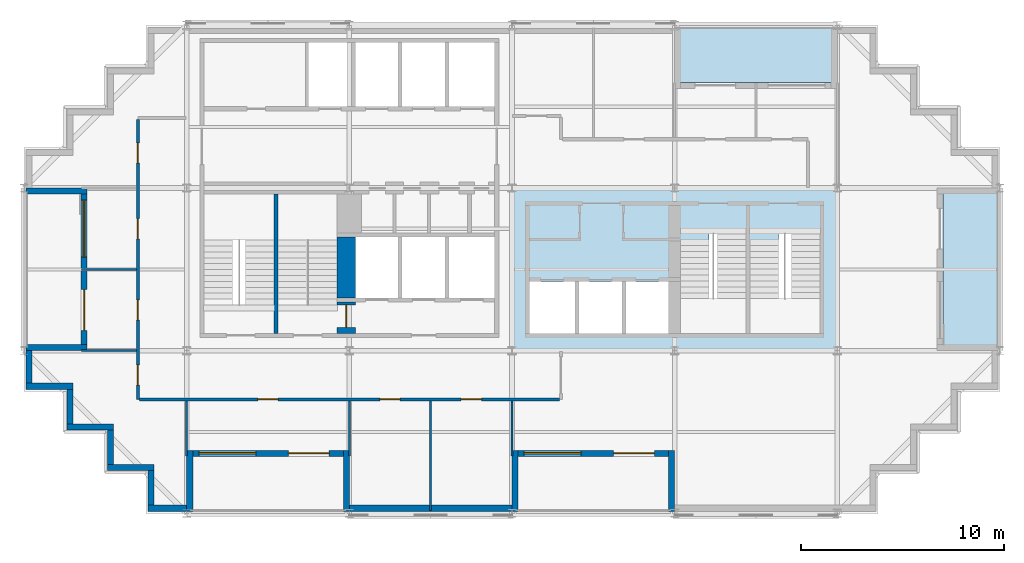
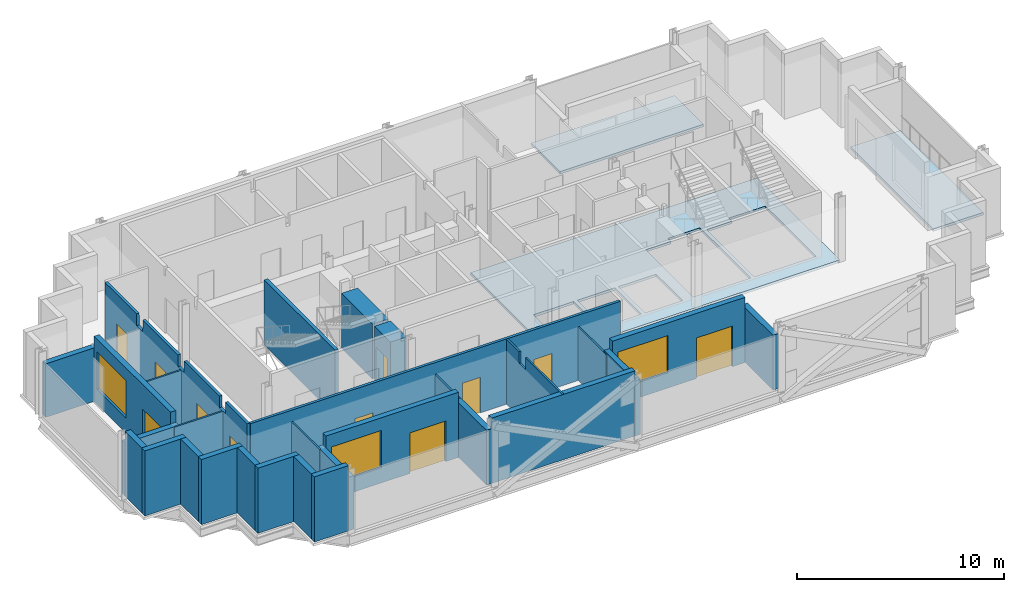
# One storey, part 2 of 7: 29 walls, 11 doors, 3 slabs, 3 windows, 14 openings.
"""IFC4 building model written with IfcOpenShell, lengths in metres."""

import ifcopenshell
import ifcopenshell.guid

model = None  # the IFC model being written
_history = None  # IfcOwnerHistory: only IFC2X3 demands one
_inside = {}  # id of a spatial element -> (the spatial element, [elements in it])
_under = {}  # id of a project, library or spatial element -> (it, [spatial elements below it])
_declared = {}  # id of a project -> (the project, [libraries it declares])
_typed = {}  # id of a type object -> (the type object, [elements of that type])
_made_of = {}  # id of a material, layer set ... -> (it, [elements and type objects made of it])


def new_model(schema):
    """Start an empty IFC model of exactly this schema.

    Asked for "IFC4X3", IfcOpenShell would pick the latest addendum, in which some entities
    have other attributes; the version numbers below select the first issue.
    IFC2X3 requires an IfcOwnerHistory on every rooted entity: one is made here for all.
    """
    global model, _history
    if schema == "IFC4X3":
        model = ifcopenshell.file(schema_version=(4, 3, 0, 0))
    else:
        model = ifcopenshell.file(schema=schema)
    _inside.clear()
    _under.clear()
    _declared.clear()
    _typed.clear()
    _made_of.clear()
    _history = None
    if model.schema == "IFC2X3":
        org = make("IfcOrganization", Name="unknown")
        user = make(
            "IfcPersonAndOrganization",
            ThePerson=make("IfcPerson", FamilyName="unknown"),
            TheOrganization=org,
        )
        app = make(
            "IfcApplication",
            ApplicationDeveloper=org,
            Version="unknown",
            ApplicationFullName="unknown",
            ApplicationIdentifier="unknown",
        )
        _history = make(
            "IfcOwnerHistory",
            OwningUser=user,
            OwningApplication=app,
            ChangeAction="ADDED",
            CreationDate=0,
        )
    return model


def make(cls, **values):
    """One entity of the class cls with the attributes given. An attribute that is None is left unset."""
    return model.create_entity(
        cls, **{name: value for name, value in values.items() if value is not None}
    )


def rooted(cls, **values):
    """An entity with a GlobalId (a new one), such as an element, a storey or a relation."""
    return make(cls, GlobalId=ifcopenshell.guid.new(), OwnerHistory=_history, **values)


def si_unit(unit_type, name, prefix=None):
    """IfcSIUnit, for example si_unit("LENGTHUNIT", "METRE", prefix="MILLI")."""
    return make("IfcSIUnit", UnitType=unit_type, Prefix=prefix, Name=name)


def assignment(units):
    """IfcUnitAssignment: the units of a project."""
    return None if units is None else make("IfcUnitAssignment", Units=units)


def point(xyz):
    """IfcCartesianPoint."""
    return None if xyz is None else make("IfcCartesianPoint", Coordinates=xyz)


def direction(xyz):
    """IfcDirection."""
    return None if xyz is None else make("IfcDirection", DirectionRatios=xyz)


def frame(location, z_axis=None, x_axis=None):
    """IfcAxis2Placement3D, a coordinate frame: its origin and axes. An axis left out is left unset."""
    return make(
        "IfcAxis2Placement3D",
        Location=point(location),
        Axis=direction(z_axis),
        RefDirection=direction(x_axis),
    )


def frame_2d(location, x_axis=None):
    """IfcAxis2Placement2D, a coordinate frame in the plane: its origin and x axis."""
    return make(
        "IfcAxis2Placement2D", Location=point(location), RefDirection=direction(x_axis)
    )


def origin():
    """The frame at (0, 0, 0) with its axes left unset."""
    return frame((0.0, 0.0, 0.0))


def place(relative_to, where):
    """IfcLocalPlacement: puts the frame where relative to a parent placement (None: the world)."""
    return make(
        "IfcLocalPlacement", PlacementRelTo=relative_to, RelativePlacement=where
    )


def context(
    kind, dimensions, precision=None, world=None, true_north=None, identifier=None
):
    """IfcGeometricRepresentationContext, for example the 3D "Model" context."""
    return make(
        "IfcGeometricRepresentationContext",
        ContextIdentifier=identifier,
        ContextType=kind,
        CoordinateSpaceDimension=dimensions,
        Precision=precision,
        WorldCoordinateSystem=world,
        TrueNorth=true_north,
    )


def subcontext(parent, identifier, kind, view, scale=None):
    """IfcGeometricRepresentationSubContext, for example "Body" below "Model"."""
    return make(
        "IfcGeometricRepresentationSubContext",
        ContextIdentifier=identifier,
        ContextType=kind,
        ParentContext=parent,
        TargetScale=scale,
        TargetView=view,
    )


def project(units=None, contexts=None):
    """IfcProject with its units and contexts."""
    return rooted(
        "IfcProject",
        Name="project",
        RepresentationContexts=contexts,
        UnitsInContext=assignment(units),
    )


def spatial(cls, under=None, at=None, **own):
    """A site, building, storey or space (cls), placed at a placement, below another one or the project."""
    s = rooted(cls, ObjectPlacement=at, **own)
    if under is not None:
        _under.setdefault(under.id(), (under, []))[1].append(s)
    return s


def polyline(points):
    """IfcPolyline through the points."""
    return make("IfcPolyline", Points=[point(p) for p in points])


def profile(cls, at=None, kind="AREA", **sizes):
    """A parametric profile (cls). Its sizes go by their IFC names, for example OverallWidth=200.0."""
    return make(cls, ProfileType=kind, Position=at, **sizes)


def rectangle(**sizes):
    """IfcRectangleProfileDef."""
    return profile("IfcRectangleProfileDef", **sizes)


def outline(outer, holes=None, kind="AREA"):
    """IfcArbitraryClosedProfileDef: a profile drawn as a closed curve; with holes, ...WithVoids."""
    if holes is None:
        return make("IfcArbitraryClosedProfileDef", ProfileType=kind, OuterCurve=outer)
    return make(
        "IfcArbitraryProfileDefWithVoids",
        ProfileType=kind,
        OuterCurve=outer,
        InnerCurves=holes,
    )


def extrude(swept, where, along, depth):
    """IfcExtrudedAreaSolid: the profile swept, set in the frame where, extruded along a direction by depth."""
    return make(
        "IfcExtrudedAreaSolid",
        SweptArea=swept,
        Position=where,
        ExtrudedDirection=direction(along),
        Depth=depth,
    )


def shape(context_of_items, identifier, shape_type, items):
    """IfcShapeRepresentation: the items that make up one representation, for example the "Body"."""
    return make(
        "IfcShapeRepresentation",
        ContextOfItems=context_of_items,
        RepresentationIdentifier=identifier,
        RepresentationType=shape_type,
        Items=items,
    )


def material(Name=None, Category=None):
    """IfcMaterial."""
    return make("IfcMaterial", Name=Name, Category=Category)


def layer(
    of_material, thickness, ventilated=None, Name=None, Category=None, Priority=None
):
    """IfcMaterialLayer: one layer of a wall or slab, of a material (None: an air gap)."""
    return make(
        "IfcMaterialLayer",
        Material=of_material,
        LayerThickness=thickness,
        IsVentilated=ventilated,
        Name=Name,
        Category=Category,
        Priority=Priority,
    )


def layer_set(layers, Name=None):
    """IfcMaterialLayerSet."""
    return make("IfcMaterialLayerSet", MaterialLayers=layers, LayerSetName=Name)


def made_of(thing, what):
    """Note that an element or type object is made of a material, layer set ...; save() writes the relation."""
    if what is not None:
        _made_of.setdefault(what.id(), (what, []))[1].append(thing)
    return thing


def type_object(cls, material=None, **own):
    """A type object (cls), such as IfcWallType, which elements share."""
    return made_of(rooted(cls, **own), material)


def element(
    cls,
    number,
    at=None,
    inside=None,
    cuts=None,
    type_object=None,
    material=None,
    context=None,
    identifier="Body",
    shape_type=None,
    held_by="IfcProductDefinitionShape",
    body=None,
    shapes=None,
    **own,
):
    """One element of the class cls, such as IfcWall. Its Tag is "e" and its number.

    at: its placement. inside: the storey or other place that contains it. cuts: it is an
    opening in that element (IfcRelVoidsElement). A single representation is given by context,
    identifier, shape_type and body (its items); several are given by shapes. held_by: the class
    of the entity that holds the representations. save() writes the other relations.
    """
    e = rooted(cls, Tag="e%d" % number, ObjectPlacement=at, **own)
    if body is not None:
        shapes = [shape(context, identifier, shape_type, body)]
    if shapes is not None:
        e.Representation = make(held_by, Representations=shapes)
    if inside is not None:
        _inside.setdefault(inside.id(), (inside, []))[1].append(e)
    if cuts is not None:
        rooted(
            "IfcRelVoidsElement", RelatingBuildingElement=cuts, RelatedOpeningElement=e
        )
    if type_object is not None:
        _typed.setdefault(type_object.id(), (type_object, []))[1].append(e)
    return made_of(e, material)


def fill(opening, filler):
    """IfcRelFillsElement: the door or window that sits in an opening."""
    return rooted(
        "IfcRelFillsElement",
        RelatingOpeningElement=opening,
        RelatedBuildingElement=filler,
    )


def aggregate(whole, parts):
    """IfcRelAggregates: a whole, such as a stair, and the parts it consists of."""
    return rooted("IfcRelAggregates", RelatingObject=whole, RelatedObjects=parts)


def save(model, path):
    """Write the relations noted so far, then the file.

    IfcRelAggregates (storeys below a building ...), IfcRelContainedInSpatialStructure (elements
    in a storey), IfcRelDefinesByType, IfcRelAssociatesMaterial and IfcRelDeclares: one each for
    every whole, place, type object, material and project.
    """
    for whole, parts in _under.values():
        aggregate(whole, parts)
    for where, things in _inside.values():
        rooted(
            "IfcRelContainedInSpatialStructure",
            RelatedElements=things,
            RelatingStructure=where,
        )
    for kind, things in _typed.values():
        rooted("IfcRelDefinesByType", RelatedObjects=things, RelatingType=kind)
    for what, things in _made_of.values():
        rooted("IfcRelAssociatesMaterial", RelatedObjects=things, RelatingMaterial=what)
    for by, libraries in _declared.values():
        rooted("IfcRelDeclares", RelatingContext=by, RelatedDefinitions=libraries)
    model.write(path)


model = new_model("IFC4")

# Units and contexts
model_context = context("Model", 3, precision=1e-05, world=origin(), true_north=direction((0.0, 1.0)))
body_context = subcontext(model_context, "Body", "Model", "MODEL_VIEW")
ifc_project = project(units=[si_unit("LENGTHUNIT", "METRE"), si_unit("AREAUNIT", "SQUARE_METRE"), si_unit("VOLUMEUNIT", "CUBIC_METRE"), si_unit("PLANEANGLEUNIT", "RADIAN"), si_unit("MASSUNIT", "GRAM", prefix="KILO")], contexts=[model_context])

# Site, building, storey
site_placement = place(None, origin())
site = spatial("IfcSite", under=ifc_project, at=site_placement, CompositionType="ELEMENT")
building_placement = place(site_placement, origin())
building = spatial("IfcBuilding", under=site, at=building_placement, Name="Immortelle Media Tower", CompositionType="ELEMENT")
storey_placement = place(building_placement, frame((0.0, 0.0, 205.0)))
storey = spatial("IfcBuildingStorey", under=building, at=storey_placement, Name="L43", CompositionType="ELEMENT", Elevation=205.0)

# Slabs
ifc_material_1 = material(Name="Concrete C50/60 composite deck", Category="concrete")
ifc_layer_1 = layer(ifc_material_1, 0.14990234375)
ifc_layer_set_1 = layer_set([ifc_layer_1], Name="Concrete C50/60 composite deck")
slab_type_1 = type_object("IfcSlabType", Name="Balcony slab 150", PredefinedType="FLOOR", material=ifc_layer_set_1)
slab_1_placement = place(storey_placement, frame((0.0, 0.0, -0.14990234375)))
element("IfcSlab", 1, at=slab_1_placement, inside=storey, type_object=slab_type_1, Name="Balcony slab L43 E0", PredefinedType="FLOOR", context=body_context, shape_type="SweptSolid", body=[
    extrude(outline(polyline([(48.0, 8.0), (48.0, 16.0), (45.199951171875, 16.0), (45.199951171875, 8.0), (48.0, 8.0)])), origin(), (0.0, 0.0, 1.0), 0.14990234375),
])
slab_2_placement = place(storey_placement, frame((0.0, 0.0, -0.14990234375)))
element("IfcSlab", 2, at=slab_2_placement, inside=storey, type_object=slab_type_1, Name="Balcony slab L43 N0", PredefinedType="FLOOR", context=body_context, shape_type="SweptSolid", body=[
    extrude(outline(polyline([(40.0, 21.199951171875), (40.0, 24.0), (32.0, 24.0), (32.0, 21.199951171875), (40.0, 21.199951171875)])), origin(), (0.0, 0.0, 1.0), 0.14990234375),
])
ifc_material_2 = material(Name="Concrete C50/60", Category="concrete")
ifc_layer_2 = layer(ifc_material_2, 0.14990234375)
ifc_layer_set_2 = layer_set([ifc_layer_2], Name="Concrete C50/60")
slab_type_2 = type_object("IfcSlabType", Name="Core floor slab 150", PredefinedType="FLOOR", material=ifc_layer_set_2)
slab_3_placement = place(storey_placement, frame((0.0, 0.0, -0.14990234375)))
element("IfcSlab", 3, at=slab_3_placement, inside=storey, type_object=slab_type_2, Name="Core floor SE", PredefinedType="FLOOR", context=body_context, shape_type="SweptSolid", body=[
    extrude(outline(polyline([(24.0, 8.0), (40.0, 8.0), (40.0, 16.0), (24.0, 16.0), (24.0, 8.0)]), holes=[polyline([(24.85009765625, 8.85009765625), (27.10009765625, 8.85009765625), (27.10009765625, 11.39990234375), (24.85009765625, 11.39990234375), (24.85009765625, 8.85009765625)]), polyline([(27.300048828125, 8.85009765625), (29.39990234375, 8.85009765625), (29.39990234375, 11.39990234375), (27.300048828125, 11.39990234375), (27.300048828125, 8.85009765625)]), polyline([(29.60009765625, 8.85009765625), (31.699951171875, 8.85009765625), (31.699951171875, 11.39990234375), (29.60009765625, 11.39990234375), (29.60009765625, 8.85009765625)]), polyline([(35.5, 13.72998046875), (35.5, 8.85009765625), (32.300048828125, 8.85009765625), (32.300048828125, 13.43994140625), (33.699951171875, 13.43994140625), (33.699951171875, 13.72998046875), (35.5, 13.72998046875)]), polyline([(39.14990234375, 13.72998046875), (39.14990234375, 8.85009765625), (35.699951171875, 8.85009765625), (35.699951171875, 13.43994140625), (37.10009765625, 13.43994140625), (37.10009765625, 13.72998046875), (39.14990234375, 13.72998046875)])]), origin(), (0.0, 0.0, 1.0), 0.14990234375),
])

# Wall, openings, doors
ifc_material_3 = material(Name="Fire-rated gypsum board", Category="gypsum")
ifc_layer_3 = layer(ifc_material_3, 0.012451171875)
ifc_material_4 = material(Name="Steel ASTM A653 SS Gr 50 stud frame with mineral wool", Category="steel")
ifc_layer_4 = layer(ifc_material_4, 0.125)
ifc_layer_5 = layer(ifc_material_3, 0.012451171875)
ifc_layer_set_3 = layer_set([ifc_layer_3, ifc_layer_4, ifc_layer_5], Name="Steel ASTM A653 SS Gr 50 stud frame with mineral wool")
wall_type_1 = type_object("IfcWallType", Name="Corridor wall 150", PredefinedType="PARTITIONING", material=ifc_layer_set_3)
wall_1_placement = place(storey_placement, frame((5.675048828125, 5.60009765625, 0.0), z_axis=(0.0, 0.0, 1.0), x_axis=(1.0, 0.0, 0.0)))
wall_1 = element("IfcWall", 4, at=wall_1_placement, inside=storey, type_object=wall_type_1, Name="Partition L43-005", PredefinedType="PARTITIONING", context=body_context, shape_type="SweptSolid", body=[
    extrude(rectangle(XDim=20.64990234375, YDim=0.14990234375, at=frame_2d((10.324951171875, 0.0))), origin(), (0.0, 0.0, 1.0), 3.85009765625),
])
opening_1_placement = place(wall_1_placement, frame((12.824951171875, 0.0, 0.0), z_axis=(0.0, 0.0, 1.0), x_axis=(-1.0, 0.0, 0.0)))
opening_1 = element("IfcOpeningElement", 5, at=opening_1_placement, cuts=wall_1, Name="Opening O2-F001", PredefinedType="OPENING", context=body_context, shape_type="SweptSolid", body=[
    extrude(rectangle(XDim=1.0, YDim=2.10009765625, at=frame_2d((0.5, 1.050048828125))), frame((0.0, 0.0849609375, 0.0), z_axis=(0.0, -1.0, 0.0), x_axis=(1.0, 0.0, 0.0)), (0.0, 0.0, 1.0), 0.169921875),
])
opening_2_placement = place(wall_1_placement, frame((16.824951171875, 0.0, 0.0), z_axis=(0.0, 0.0, 1.0), x_axis=(-1.0, 0.0, 0.0)))
opening_2 = element("IfcOpeningElement", 6, at=opening_2_placement, cuts=wall_1, Name="Opening O2-F002", PredefinedType="OPENING", context=body_context, shape_type="SweptSolid", body=[
    extrude(rectangle(XDim=1.0, YDim=2.10009765625, at=frame_2d((0.5, 1.050048828125))), frame((0.0, 0.0849609375, 0.0), z_axis=(0.0, -1.0, 0.0), x_axis=(1.0, 0.0, 0.0)), (0.0, 0.0, 1.0), 0.169921875),
])
opening_3_placement = place(wall_1_placement, frame((6.824951171875, 0.0, 0.0), z_axis=(0.0, 0.0, 1.0), x_axis=(-1.0, 0.0, 0.0)))
opening_3 = element("IfcOpeningElement", 7, at=opening_3_placement, cuts=wall_1, Name="Opening O2-F003", PredefinedType="OPENING", context=body_context, shape_type="SweptSolid", body=[
    extrude(rectangle(XDim=1.0, YDim=2.10009765625, at=frame_2d((0.5, 1.050048828125))), frame((0.0, 0.0849609375, 0.0), z_axis=(0.0, -1.0, 0.0), x_axis=(1.0, 0.0, 0.0)), (0.0, 0.0, 1.0), 0.169921875),
])
ifc_material_5 = material(Name="Timber veneered door leaf, galvanised steel frame ASTM A653", Category="steel")
door_type_1 = type_object("IfcDoorType", Name="Room door 1000 x 2100", OperationType="NOTDEFINED", PredefinedType="DOOR", material=ifc_material_5)
door_1_placement = place(opening_1_placement, origin())
door_1 = element("IfcDoor", 8, at=door_1_placement, inside=storey, type_object=door_type_1, Name="Door O2-F001", OperationType="SINGLE_SWING_RIGHT", OverallHeight=2.10009765625, OverallWidth=1.0, PredefinedType="DOOR", context=body_context, shape_type="SweptSolid", body=[
    extrude(rectangle(XDim=1.0, YDim=2.10009765625, at=frame_2d((0.5, 1.050048828125))), frame((0.0, 0.02490234375, 0.0), z_axis=(0.0, -1.0, 0.0), x_axis=(1.0, 0.0, 0.0)), (0.0, 0.0, 1.0), 0.050048828125),
])
fill(opening_1, door_1)
door_2_placement = place(opening_2_placement, origin())
door_2 = element("IfcDoor", 9, at=door_2_placement, inside=storey, type_object=door_type_1, Name="Door O2-F002", OperationType="SINGLE_SWING_RIGHT", OverallHeight=2.10009765625, OverallWidth=1.0, PredefinedType="DOOR", context=body_context, shape_type="SweptSolid", body=[
    extrude(rectangle(XDim=1.0, YDim=2.10009765625, at=frame_2d((0.5, 1.050048828125))), frame((0.0, 0.02490234375, 0.0), z_axis=(0.0, -1.0, 0.0), x_axis=(1.0, 0.0, 0.0)), (0.0, 0.0, 1.0), 0.050048828125),
])
fill(opening_2, door_2)
door_3_placement = place(opening_3_placement, origin())
door_3 = element("IfcDoor", 10, at=door_3_placement, inside=storey, type_object=door_type_1, Name="Door O2-F003", OperationType="SINGLE_SWING_RIGHT", OverallHeight=2.10009765625, OverallWidth=1.0, PredefinedType="DOOR", context=body_context, shape_type="SweptSolid", body=[
    extrude(rectangle(XDim=1.0, YDim=2.10009765625, at=frame_2d((0.5, 1.050048828125))), frame((0.0, 0.02490234375, 0.0), z_axis=(0.0, -1.0, 0.0), x_axis=(1.0, 0.0, 0.0)), (0.0, 0.0, 1.0), 0.050048828125),
])
fill(opening_3, door_3)

wall_2_placement = place(storey_placement, frame((5.60009765625, 5.60009765625, 0.0), z_axis=(0.0, 0.0, 1.0), x_axis=(0.0, 1.0, 0.0)))
wall_2 = element("IfcWall", 11, at=wall_2_placement, inside=storey, type_object=wall_type_1, Name="Partition L43-006", PredefinedType="PARTITIONING", context=body_context, shape_type="SweptSolid", body=[
    extrude(outline(polyline([(0.0, 0.0), (13.77490234375, 0.0), (13.77490234375, 3.85009765625), (10.699951171875, 3.85009765625), (10.697998046875, 3.156982421875), (10.10205078125, 3.156982421875), (10.10009765625, 3.85009765625), (6.699951171875, 3.85009765625), (6.697998046875, 3.156982421875), (6.10205078125, 3.156982421875), (6.10009765625, 3.85009765625), (2.699951171875, 3.85009765625), (2.697998046875, 3.156982421875), (2.10205078125, 3.156982421875), (2.10009765625, 3.85009765625), (0.0, 3.85009765625), (0.0, 0.0)])), frame((0.0, 0.074951171875, 0.0), z_axis=(0.0, -1.0, 0.0), x_axis=(1.0, 0.0, 0.0)), (0.0, 0.0, 1.0), 0.14990234375),
])
opening_4_placement = place(wall_2_placement, frame((0.699951171875, 0.0, 0.0)))
opening_4 = element("IfcOpeningElement", 12, at=opening_4_placement, cuts=wall_2, Name="Opening O2-F004", PredefinedType="OPENING", context=body_context, shape_type="SweptSolid", body=[
    extrude(rectangle(XDim=1.0, YDim=2.10009765625, at=frame_2d((0.5, 1.050048828125))), frame((0.0, 0.0849609375, 0.0), z_axis=(0.0, -1.0, 0.0), x_axis=(1.0, 0.0, 0.0)), (0.0, 0.0, 1.0), 0.169921875),
])
opening_5_placement = place(wall_2_placement, frame((3.89990234375, 0.0, 0.0)))
opening_5 = element("IfcOpeningElement", 13, at=opening_5_placement, cuts=wall_2, Name="Opening O2-F006", PredefinedType="OPENING", context=body_context, shape_type="SweptSolid", body=[
    extrude(rectangle(XDim=1.0, YDim=2.10009765625, at=frame_2d((0.5, 1.050048828125))), frame((0.0, 0.0849609375, 0.0), z_axis=(0.0, -1.0, 0.0), x_axis=(1.0, 0.0, 0.0)), (0.0, 0.0, 1.0), 0.169921875),
])
opening_6_placement = place(wall_2_placement, frame((7.89990234375, 0.0, 0.0)))
opening_6 = element("IfcOpeningElement", 14, at=opening_6_placement, cuts=wall_2, Name="Opening O2-F007", PredefinedType="OPENING", context=body_context, shape_type="SweptSolid", body=[
    extrude(rectangle(XDim=1.0, YDim=2.10009765625, at=frame_2d((0.5, 1.050048828125))), frame((0.0, 0.0849609375, 0.0), z_axis=(0.0, -1.0, 0.0), x_axis=(1.0, 0.0, 0.0)), (0.0, 0.0, 1.0), 0.169921875),
])
opening_7_placement = place(wall_2_placement, frame((11.625, 0.0, 0.0)))
opening_7 = element("IfcOpeningElement", 15, at=opening_7_placement, cuts=wall_2, Name="Opening O2-F008", PredefinedType="OPENING", context=body_context, shape_type="SweptSolid", body=[
    extrude(rectangle(XDim=1.0, YDim=2.10009765625, at=frame_2d((0.5, 1.050048828125))), frame((0.0, 0.0849609375, 0.0), z_axis=(0.0, -1.0, 0.0), x_axis=(1.0, 0.0, 0.0)), (0.0, 0.0, 1.0), 0.169921875),
])
door_4_placement = place(opening_4_placement, origin())
door_4 = element("IfcDoor", 16, at=door_4_placement, inside=storey, type_object=door_type_1, Name="Door O2-F004", OperationType="SINGLE_SWING_RIGHT", OverallHeight=2.10009765625, OverallWidth=1.0, PredefinedType="DOOR", context=body_context, shape_type="SweptSolid", body=[
    extrude(rectangle(XDim=1.0, YDim=2.10009765625, at=frame_2d((0.5, 1.050048828125))), frame((0.0, 0.02490234375, 0.0), z_axis=(0.0, -1.0, 0.0), x_axis=(1.0, 0.0, 0.0)), (0.0, 0.0, 1.0), 0.050048828125),
])
fill(opening_4, door_4)
door_5_placement = place(opening_5_placement, origin())
door_5 = element("IfcDoor", 17, at=door_5_placement, inside=storey, type_object=door_type_1, Name="Door O2-F006", OperationType="SINGLE_SWING_RIGHT", OverallHeight=2.10009765625, OverallWidth=1.0, PredefinedType="DOOR", context=body_context, shape_type="SweptSolid", body=[
    extrude(rectangle(XDim=1.0, YDim=2.10009765625, at=frame_2d((0.5, 1.050048828125))), frame((0.0, 0.02490234375, 0.0), z_axis=(0.0, -1.0, 0.0), x_axis=(1.0, 0.0, 0.0)), (0.0, 0.0, 1.0), 0.050048828125),
])
fill(opening_5, door_5)
door_6_placement = place(opening_6_placement, origin())
door_6 = element("IfcDoor", 18, at=door_6_placement, inside=storey, type_object=door_type_1, Name="Door O2-F007", OperationType="SINGLE_SWING_RIGHT", OverallHeight=2.10009765625, OverallWidth=1.0, PredefinedType="DOOR", context=body_context, shape_type="SweptSolid", body=[
    extrude(rectangle(XDim=1.0, YDim=2.10009765625, at=frame_2d((0.5, 1.050048828125))), frame((0.0, 0.02490234375, 0.0), z_axis=(0.0, -1.0, 0.0), x_axis=(1.0, 0.0, 0.0)), (0.0, 0.0, 1.0), 0.050048828125),
])
fill(opening_6, door_6)
door_7_placement = place(opening_7_placement, origin())
door_7 = element("IfcDoor", 19, at=door_7_placement, inside=storey, type_object=door_type_1, Name="Door O2-F008", OperationType="SINGLE_SWING_LEFT", OverallHeight=2.10009765625, OverallWidth=1.0, PredefinedType="DOOR", context=body_context, shape_type="SweptSolid", body=[
    extrude(rectangle(XDim=1.0, YDim=2.10009765625, at=frame_2d((0.5, 1.050048828125))), frame((0.0, 0.02490234375, 0.0), z_axis=(0.0, -1.0, 0.0), x_axis=(1.0, 0.0, 0.0)), (0.0, 0.0, 1.0), 0.050048828125),
])
fill(opening_7, door_7)

# Walls
ifc_material_6 = material(Name="Pale aluminium cladding panel", Category="aluminium")
ifc_layer_6 = layer(ifc_material_6, 0.030029296875)
ifc_layer_7 = layer(ifc_material_4, 0.257568359375)
ifc_material_7 = material(Name="Moisture-resistant gypsum board", Category="gypsum")
ifc_layer_8 = layer(ifc_material_7, 0.012451171875)
ifc_layer_set_4 = layer_set([ifc_layer_6, ifc_layer_7, ifc_layer_8], Name="Steel ASTM A653 SS Gr 50 stud frame with mineral wool")
wall_type_2 = type_object("IfcWallType", Name="Facade wall 300", PredefinedType="SOLIDWALL", material=ifc_layer_set_4)
wall_3_placement = place(storey_placement, frame((0.10009765625, 6.25, 0.0), z_axis=(0.0, 0.0, 1.0), x_axis=(1.0, 0.0, 0.0)))
element("IfcWall", 20, at=wall_3_placement, inside=storey, type_object=wall_type_2, Name="Facade wall L43 S0", PredefinedType="SOLIDWALL", context=body_context, shape_type="SweptSolid", body=[
    extrude(rectangle(XDim=2.2998046875, YDim=0.300048828125, at=frame_2d((1.14990234375, 0.0))), origin(), (0.0, 0.0, 1.0), 3.85009765625),
])
wall_4_placement = place(storey_placement, frame((2.25, 6.10009765625, 0.0), z_axis=(0.0, 0.0, 1.0), x_axis=(0.0, -1.0, 0.0)))
element("IfcWall", 21, at=wall_4_placement, inside=storey, type_object=wall_type_2, Name="Facade wall L43 W1", PredefinedType="SOLIDWALL", context=body_context, shape_type="SweptSolid", body=[
    extrude(rectangle(XDim=1.7001953125, YDim=0.300048828125, at=frame_2d((0.85009765625, 0.0))), origin(), (0.0, 0.0, 1.0), 3.85009765625),
])
wall_5_placement = place(storey_placement, frame((2.10009765625, 4.25, 0.0), z_axis=(0.0, 0.0, 1.0), x_axis=(1.0, 0.0, 0.0)))
element("IfcWall", 22, at=wall_5_placement, inside=storey, type_object=wall_type_2, Name="Facade wall L43 S2", PredefinedType="SOLIDWALL", context=body_context, shape_type="SweptSolid", body=[
    extrude(rectangle(XDim=2.2998046875, YDim=0.300048828125, at=frame_2d((1.14990234375, 0.0))), origin(), (0.0, 0.0, 1.0), 3.85009765625),
])
wall_6_placement = place(storey_placement, frame((4.25, 4.10009765625, 0.0), z_axis=(0.0, 0.0, 1.0), x_axis=(0.0, -1.0, 0.0)))
element("IfcWall", 23, at=wall_6_placement, inside=storey, type_object=wall_type_2, Name="Facade wall L43 W3", PredefinedType="SOLIDWALL", context=body_context, shape_type="SweptSolid", body=[
    extrude(rectangle(XDim=1.7001953125, YDim=0.300048828125, at=frame_2d((0.85009765625, 0.0))), origin(), (0.0, 0.0, 1.0), 3.85009765625),
])
wall_7_placement = place(storey_placement, frame((4.10009765625, 2.25, 0.0), z_axis=(0.0, 0.0, 1.0), x_axis=(1.0, 0.0, 0.0)))
element("IfcWall", 24, at=wall_7_placement, inside=storey, type_object=wall_type_2, Name="Facade wall L43 S4", PredefinedType="SOLIDWALL", context=body_context, shape_type="SweptSolid", body=[
    extrude(rectangle(XDim=2.2998046875, YDim=0.300048828125, at=frame_2d((1.14990234375, 0.0))), origin(), (0.0, 0.0, 1.0), 3.85009765625),
])
wall_8_placement = place(storey_placement, frame((6.25, 2.10009765625, 0.0), z_axis=(0.0, 0.0, 1.0), x_axis=(0.0, -1.0, 0.0)))
element("IfcWall", 25, at=wall_8_placement, inside=storey, type_object=wall_type_2, Name="Facade wall L43 W5", PredefinedType="SOLIDWALL", context=body_context, shape_type="SweptSolid", body=[
    extrude(rectangle(XDim=1.7001953125, YDim=0.300048828125, at=frame_2d((0.85009765625, 0.0))), origin(), (0.0, 0.0, 1.0), 3.85009765625),
])
wall_9_placement = place(storey_placement, frame((6.10009765625, 0.25, 0.0), z_axis=(0.0, 0.0, 1.0), x_axis=(1.0, 0.0, 0.0)))
element("IfcWall", 26, at=wall_9_placement, inside=storey, type_object=wall_type_2, Name="Facade wall L43 S6", PredefinedType="SOLIDWALL", context=body_context, shape_type="SweptSolid", body=[
    extrude(rectangle(XDim=1.89990234375, YDim=0.300048828125, at=frame_2d((0.949951171875, 0.0))), origin(), (0.0, 0.0, 1.0), 3.85009765625),
])

# Wall, openings, door, window
wall_10_placement = place(storey_placement, frame((8.300048828125, 2.949951171875, 0.0), z_axis=(0.0, 0.0, 1.0), x_axis=(1.0, 0.0, 0.0)))
wall_10 = element("IfcWall", 27, at=wall_10_placement, inside=storey, type_object=wall_type_2, Name="Loggia wall L43 S6", PredefinedType="SOLIDWALL", context=body_context, shape_type="SweptSolid", body=[
    extrude(rectangle(XDim=7.39990234375, YDim=0.300048828125, at=frame_2d((3.699951171875, 0.0))), origin(), (0.0, 0.0, 1.0), 3.85009765625),
])
opening_8_placement = place(wall_10_placement, frame((0.300048828125, 0.0, 0.89990234375)))
opening_8 = element("IfcOpeningElement", 28, at=opening_8_placement, cuts=wall_10, Name="Opening W1", PredefinedType="OPENING", context=body_context, shape_type="SweptSolid", body=[
    extrude(rectangle(XDim=2.800048828125, YDim=2.199951171875, at=frame_2d((1.39990234375, 1.10009765625))), frame((0.0, 0.159912109375, 0.0), z_axis=(0.0, -1.0, 0.0), x_axis=(1.0, 0.0, 0.0)), (0.0, 0.0, 1.0), 0.320068359375),
])
opening_9_placement = place(wall_10_placement, frame((4.699951171875, 0.0, 0.0)))
opening_9 = element("IfcOpeningElement", 29, at=opening_9_placement, cuts=wall_10, Name="Opening O2-E001", PredefinedType="OPENING", context=body_context, shape_type="SweptSolid", body=[
    extrude(rectangle(XDim=2.0, YDim=2.39990234375, at=frame_2d((1.0, 1.199951171875))), frame((0.0, 0.159912109375, 0.0), z_axis=(0.0, -1.0, 0.0), x_axis=(1.0, 0.0, 0.0)), (0.0, 0.0, 1.0), 0.320068359375),
])
ifc_material_8 = material(Name="Aluminium frame, glazed leaves", Category="aluminium")
door_type_2 = type_object("IfcDoorType", Name="Loggia door 2000 x 2400", OperationType="DOUBLE_DOOR_SINGLE_SWING", PredefinedType="DOOR", material=ifc_material_8)
door_8_placement = place(opening_9_placement, origin())
door_8 = element("IfcDoor", 30, at=door_8_placement, inside=storey, type_object=door_type_2, Name="Door O2-E001", OperationType="DOUBLE_DOOR_SINGLE_SWING", OverallHeight=2.39990234375, OverallWidth=2.0, PredefinedType="DOOR", context=body_context, shape_type="SweptSolid", body=[
    extrude(rectangle(XDim=2.0, YDim=2.39990234375, at=frame_2d((1.0, 1.199951171875))), frame((0.0, 0.02490234375, 0.0), z_axis=(0.0, -1.0, 0.0), x_axis=(1.0, 0.0, 0.0)), (0.0, 0.0, 1.0), 0.050048828125),
])
fill(opening_9, door_8)
ifc_material_9 = material(Name="Aluminium frame", Category="aluminium")
window_type = type_object("IfcWindowType", Name="Window 2800 x 2200", PartitioningType="SINGLE_PANEL", PredefinedType="WINDOW", material=ifc_material_9)
window_1_placement = place(opening_8_placement, origin())
window_1 = element("IfcWindow", 31, at=window_1_placement, inside=storey, type_object=window_type, Name="Window L43 L43-R6-B0", OverallHeight=2.199951171875, OverallWidth=2.800048828125, PartitioningType="SINGLE_PANEL", PredefinedType="WINDOW", context=body_context, shape_type="SweptSolid", body=[
    extrude(rectangle(XDim=2.800048828125, YDim=2.199951171875, at=frame_2d((1.39990234375, 1.10009765625))), frame((0.0, 0.030029296875, 0.0), z_axis=(0.0, -1.0, 0.0), x_axis=(1.0, 0.0, 0.0)), (0.0, 0.0, 1.0), 0.06005859375),
])
fill(opening_8, window_1)

# Walls
wall_11_placement = place(storey_placement, frame((8.14990234375, 0.10009765625, 0.0), z_axis=(0.0, 0.0, 1.0), x_axis=(0.0, 1.0, 0.0)))
element("IfcWall", 32, at=wall_11_placement, inside=storey, type_object=wall_type_2, Name="Loggia cheek wall L43 S", PredefinedType="SOLIDWALL", context=body_context, shape_type="SweptSolid", body=[
    extrude(rectangle(XDim=3.0, YDim=0.300048828125, at=frame_2d((1.5, 0.0))), origin(), (0.0, 0.0, 1.0), 3.156005859375),
])
wall_12_placement = place(storey_placement, frame((15.85009765625, 0.10009765625, 0.0), z_axis=(0.0, 0.0, 1.0), x_axis=(0.0, 1.0, 0.0)))
element("IfcWall", 33, at=wall_12_placement, inside=storey, type_object=wall_type_2, Name="Loggia cheek wall L43 S", PredefinedType="SOLIDWALL", context=body_context, shape_type="SweptSolid", body=[
    extrude(rectangle(XDim=3.0, YDim=0.300048828125, at=frame_2d((1.5, 0.0))), origin(), (0.0, 0.0, 1.0), 3.237060546875),
])
wall_13_placement = place(storey_placement, frame((16.0, 0.25, 0.0), z_axis=(0.0, 0.0, 1.0), x_axis=(1.0, 0.0, 0.0)))
element("IfcWall", 34, at=wall_13_placement, inside=storey, type_object=wall_type_2, Name="Facade wall L43 S6", PredefinedType="SOLIDWALL", context=body_context, shape_type="SweptSolid", body=[
    extrude(rectangle(XDim=8.0, YDim=0.300048828125, at=frame_2d((4.0, 0.0))), origin(), (0.0, 0.0, 1.0), 3.85009765625),
])

# Wall, openings, door, window
wall_14_placement = place(storey_placement, frame((24.300048828125, 2.949951171875, 0.0), z_axis=(0.0, 0.0, 1.0), x_axis=(1.0, 0.0, 0.0)))
wall_14 = element("IfcWall", 35, at=wall_14_placement, inside=storey, type_object=wall_type_2, Name="Loggia wall L43 S6", PredefinedType="SOLIDWALL", context=body_context, shape_type="SweptSolid", body=[
    extrude(rectangle(XDim=7.39990234375, YDim=0.300048828125, at=frame_2d((3.699951171875, 0.0))), origin(), (0.0, 0.0, 1.0), 3.85009765625),
])
opening_10_placement = place(wall_14_placement, frame((0.300048828125, 0.0, 0.89990234375)))
opening_10 = element("IfcOpeningElement", 36, at=opening_10_placement, cuts=wall_14, Name="Opening W1", PredefinedType="OPENING", context=body_context, shape_type="SweptSolid", body=[
    extrude(rectangle(XDim=2.800048828125, YDim=2.199951171875, at=frame_2d((1.39990234375, 1.10009765625))), frame((0.0, 0.159912109375, 0.0), z_axis=(0.0, -1.0, 0.0), x_axis=(1.0, 0.0, 0.0)), (0.0, 0.0, 1.0), 0.320068359375),
])
opening_11_placement = place(wall_14_placement, frame((4.699951171875, 0.0, 0.0)))
opening_11 = element("IfcOpeningElement", 37, at=opening_11_placement, cuts=wall_14, Name="Opening O2-E002", PredefinedType="OPENING", context=body_context, shape_type="SweptSolid", body=[
    extrude(rectangle(XDim=2.0, YDim=2.39990234375, at=frame_2d((1.0, 1.199951171875))), frame((0.0, 0.159912109375, 0.0), z_axis=(0.0, -1.0, 0.0), x_axis=(1.0, 0.0, 0.0)), (0.0, 0.0, 1.0), 0.320068359375),
])
door_9_placement = place(opening_11_placement, origin())
door_9 = element("IfcDoor", 38, at=door_9_placement, inside=storey, type_object=door_type_2, Name="Door O2-E002", OperationType="DOUBLE_DOOR_SINGLE_SWING", OverallHeight=2.39990234375, OverallWidth=2.0, PredefinedType="DOOR", context=body_context, shape_type="SweptSolid", body=[
    extrude(rectangle(XDim=2.0, YDim=2.39990234375, at=frame_2d((1.0, 1.199951171875))), frame((0.0, 0.02490234375, 0.0), z_axis=(0.0, -1.0, 0.0), x_axis=(1.0, 0.0, 0.0)), (0.0, 0.0, 1.0), 0.050048828125),
])
fill(opening_11, door_9)
window_2_placement = place(opening_10_placement, origin())
window_2 = element("IfcWindow", 39, at=window_2_placement, inside=storey, type_object=window_type, Name="Window L43 L43-R6-B2", OverallHeight=2.199951171875, OverallWidth=2.800048828125, PartitioningType="SINGLE_PANEL", PredefinedType="WINDOW", context=body_context, shape_type="SweptSolid", body=[
    extrude(rectangle(XDim=2.800048828125, YDim=2.199951171875, at=frame_2d((1.39990234375, 1.10009765625))), frame((0.0, 0.030029296875, 0.0), z_axis=(0.0, -1.0, 0.0), x_axis=(1.0, 0.0, 0.0)), (0.0, 0.0, 1.0), 0.06005859375),
])
fill(opening_10, window_2)

# Walls
for number, where, z_axis, x_axis, name in (
    (40, (24.14990234375, 0.10009765625, 0.0), (0.0, 0.0, 1.0), (0.0, 1.0, 0.0), "Loggia cheek wall L43 S"),
    (41, (31.85009765625, 0.10009765625, 0.0), (0.0, 0.0, 1.0), (0.0, 1.0, 0.0), "Loggia cheek wall L43 S"),
):
    element("IfcWall", number, at=place(storey_placement, frame(where, z_axis=z_axis, x_axis=x_axis)), inside=storey, type_object=wall_type_2, Name=name, PredefinedType="SOLIDWALL", context=body_context, shape_type="SweptSolid", body=[
        extrude(rectangle(XDim=3.0, YDim=0.300048828125, at=frame_2d((1.5, 0.0))), origin(), (0.0, 0.0, 1.0), 3.237060546875),
    ])

# Wall, openings, door, window
wall_15_placement = place(storey_placement, frame((2.949951171875, 15.699951171875, 0.0), z_axis=(0.0, 0.0, 1.0), x_axis=(0.0, -1.0, 0.0)))
wall_15 = element("IfcWall", 42, at=wall_15_placement, inside=storey, type_object=wall_type_2, Name="Loggia wall L43 W27", PredefinedType="SOLIDWALL", context=body_context, shape_type="SweptSolid", body=[
    extrude(rectangle(XDim=7.39990234375, YDim=0.300048828125, at=frame_2d((3.699951171875, 0.0))), origin(), (0.0, 0.0, 1.0), 3.85009765625),
])
opening_12_placement = place(wall_15_placement, frame((0.300048828125, 0.0, 0.89990234375)))
opening_12 = element("IfcOpeningElement", 43, at=opening_12_placement, cuts=wall_15, Name="Opening W1", PredefinedType="OPENING", context=body_context, shape_type="SweptSolid", body=[
    extrude(rectangle(XDim=2.800048828125, YDim=2.199951171875, at=frame_2d((1.39990234375, 1.10009765625))), frame((0.0, 0.159912109375, 0.0), z_axis=(0.0, -1.0, 0.0), x_axis=(1.0, 0.0, 0.0)), (0.0, 0.0, 1.0), 0.320068359375),
])
opening_13_placement = place(wall_15_placement, frame((4.699951171875, 0.0, 0.0)))
opening_13 = element("IfcOpeningElement", 44, at=opening_13_placement, cuts=wall_15, Name="Opening O2-E006", PredefinedType="OPENING", context=body_context, shape_type="SweptSolid", body=[
    extrude(rectangle(XDim=2.0, YDim=2.39990234375, at=frame_2d((1.0, 1.199951171875))), frame((0.0, 0.159912109375, 0.0), z_axis=(0.0, -1.0, 0.0), x_axis=(1.0, 0.0, 0.0)), (0.0, 0.0, 1.0), 0.320068359375),
])
door_10_placement = place(opening_13_placement, origin())
door_10 = element("IfcDoor", 45, at=door_10_placement, inside=storey, type_object=door_type_2, Name="Door O2-E006", OperationType="DOUBLE_DOOR_SINGLE_SWING", OverallHeight=2.39990234375, OverallWidth=2.0, PredefinedType="DOOR", context=body_context, shape_type="SweptSolid", body=[
    extrude(rectangle(XDim=2.0, YDim=2.39990234375, at=frame_2d((1.0, 1.199951171875))), frame((0.0, 0.02490234375, 0.0), z_axis=(0.0, -1.0, 0.0), x_axis=(1.0, 0.0, 0.0)), (0.0, 0.0, 1.0), 0.050048828125),
])
fill(opening_13, door_10)
window_3_placement = place(opening_12_placement, origin())
window_3 = element("IfcWindow", 46, at=window_3_placement, inside=storey, type_object=window_type, Name="Window L43 L43-R27-B0", OverallHeight=2.199951171875, OverallWidth=2.800048828125, PartitioningType="SINGLE_PANEL", PredefinedType="WINDOW", context=body_context, shape_type="SweptSolid", body=[
    extrude(rectangle(XDim=2.800048828125, YDim=2.199951171875, at=frame_2d((1.39990234375, 1.10009765625))), frame((0.0, 0.030029296875, 0.0), z_axis=(0.0, -1.0, 0.0), x_axis=(1.0, 0.0, 0.0)), (0.0, 0.0, 1.0), 0.06005859375),
])
fill(opening_12, window_3)

# Walls
for number, where, z_axis, x_axis, name in (
    (47, (0.10009765625, 15.85009765625, 0.0), (0.0, 0.0, 1.0), (1.0, 0.0, 0.0), "Loggia cheek wall L43 W"),
    (48, (0.10009765625, 8.14990234375, 0.0), (0.0, 0.0, 1.0), (1.0, 0.0, 0.0), "Loggia cheek wall L43 W"),
):
    element("IfcWall", number, at=place(storey_placement, frame(where, z_axis=z_axis, x_axis=x_axis)), inside=storey, type_object=wall_type_2, Name=name, PredefinedType="SOLIDWALL", context=body_context, shape_type="SweptSolid", body=[
        extrude(rectangle(XDim=3.0, YDim=0.300048828125, at=frame_2d((1.5, 0.0))), origin(), (0.0, 0.0, 1.0), 3.156005859375),
    ])
wall_16_placement = place(storey_placement, frame((0.25, 8.0, 0.0), z_axis=(0.0, 0.0, 1.0), x_axis=(0.0, -1.0, 0.0)))
element("IfcWall", 49, at=wall_16_placement, inside=storey, type_object=wall_type_2, Name="Facade wall L43 W27", PredefinedType="SOLIDWALL", context=body_context, shape_type="SweptSolid", body=[
    extrude(rectangle(XDim=1.60009765625, YDim=0.300048828125, at=frame_2d((0.800048828125, 0.0))), origin(), (0.0, 0.0, 1.0), 3.85009765625),
])
ifc_material_10 = material(Name="Gypsum board", Category="gypsum")
ifc_layer_9 = layer(ifc_material_10, 0.012451171875)
ifc_layer_10 = layer(ifc_material_4, 0.074951171875)
ifc_layer_11 = layer(ifc_material_10, 0.012451171875)
ifc_layer_set_5 = layer_set([ifc_layer_9, ifc_layer_10, ifc_layer_11], Name="Steel ASTM A653 SS Gr 50 stud frame with mineral wool")
wall_type_3 = type_object("IfcWallType", Name="Partition 100", PredefinedType="PARTITIONING", material=ifc_layer_set_5)
wall_17_placement = place(storey_placement, frame((20.0, 0.1298828125, 0.0), z_axis=(0.0, 0.0, 1.0), x_axis=(0.0, 1.0, 0.0)))
element("IfcWall", 50, at=wall_17_placement, inside=storey, type_object=wall_type_3, Name="Partition L43-001", PredefinedType="PARTITIONING", context=body_context, shape_type="SweptSolid", body=[
    extrude(outline(polyline([(0.0, 0.0), (5.39501953125, 0.0), (5.39501953125, 3.85009765625), (4.169921875, 3.85009765625), (4.16796875, 3.156982421875), (3.572021484375, 3.156982421875), (3.570068359375, 3.85009765625), (0.0, 3.85009765625), (0.0, 0.0)])), frame((0.0, 0.050048828125, 0.0), z_axis=(0.0, -1.0, 0.0), x_axis=(1.0, 0.0, 0.0)), (0.0, 0.0, 1.0), 0.10009765625),
])
for number, where, z_axis, x_axis, name in (
    (51, (8.0, 2.830078125, 0.0), (0.0, 0.0, 1.0), (0.0, 1.0, 0.0), "Partition L43-002"),
    (52, (16.0, 2.830078125, 0.0), (0.0, 0.0, 1.0), (0.0, 1.0, 0.0), "Partition L43-003"),
    (53, (24.0, 2.830078125, 0.0), (0.0, 0.0, 1.0), (0.0, 1.0, 0.0), "Partition L43-004"),
    (54, (2.830078125, 8.0, 0.0), (0.0, 0.0, 1.0), (1.0, 0.0, 0.0), "Partition L43-008"),
    (55, (2.830078125, 12.0, 0.0), (0.0, 0.0, 1.0), (1.0, 0.0, 0.0), "Partition L43-009"),
):
    element("IfcWall", number, at=place(storey_placement, frame(where, z_axis=z_axis, x_axis=x_axis)), inside=storey, type_object=wall_type_3, Name=name, PredefinedType="PARTITIONING", context=body_context, shape_type="SweptSolid", body=[
        extrude(rectangle(XDim=2.69482421875, YDim=0.10009765625, at=frame_2d((1.347412109375, 0.0))), origin(), (0.0, 0.0, 1.0), 3.156982421875),
    ])
ifc_material_11 = material(Name="Concrete C60", Category="concrete")
ifc_layer_12 = layer(ifc_material_11, 0.199951171875)
ifc_layer_set_6 = layer_set([ifc_layer_12], Name="Concrete C60")
wall_type_4 = type_object("IfcWallType", Name="Stair shaft wall 200", PredefinedType="PARTITIONING", material=ifc_layer_set_6)
wall_18_placement = place(storey_placement, frame((12.39990234375, 8.85009765625, 0.0), z_axis=(0.0, 0.0, 1.0), x_axis=(0.0, 1.0, 0.0)))
element("IfcWall", 56, at=wall_18_placement, inside=storey, type_object=wall_type_4, Name="Stair shaft wall SW", PredefinedType="PARTITIONING", context=body_context, shape_type="SweptSolid", body=[
    extrude(rectangle(XDim=6.849853515625, YDim=0.199951171875, at=frame_2d((3.4248046875, 0.0))), origin(), (0.0, 0.0, 1.0), 3.85009765625),
])

# Wall, opening, door
ifc_layer_13 = layer(ifc_material_11, 0.89990234375)
ifc_layer_set_7 = layer_set([ifc_layer_13], Name="Concrete C60")
wall_type_5 = type_object("IfcWallType", Name="Stair shaft wall 900", PredefinedType="PARTITIONING", material=ifc_layer_set_7)
wall_19_placement = place(storey_placement, frame((15.85009765625, 8.85009765625, 0.0), z_axis=(0.0, 0.0, 1.0), x_axis=(0.0, 1.0, 0.0)))
wall_19 = element("IfcWall", 57, at=wall_19_placement, inside=storey, type_object=wall_type_5, Name="Stair shaft wall SW", PredefinedType="PARTITIONING", context=body_context, shape_type="SweptSolid", body=[
    extrude(rectangle(XDim=1.5498046875, YDim=0.89990234375, at=frame_2d((0.77490234375, 0.0))), origin(), (0.0, 0.0, 1.0), 3.241943359375),
])
opening_14_placement = place(wall_19_placement, frame((0.300048828125, 0.0, 0.0)))
opening_14 = element("IfcOpeningElement", 58, at=opening_14_placement, cuts=wall_19, Name="Opening O2-K006", PredefinedType="OPENING", context=body_context, shape_type="SweptSolid", body=[
    extrude(rectangle(XDim=1.10009765625, YDim=2.10009765625, at=frame_2d((0.550048828125, 1.050048828125))), frame((0.0, 0.4599609375, 0.0), z_axis=(0.0, -1.0, 0.0), x_axis=(1.0, 0.0, 0.0)), (0.0, 0.0, 1.0), 0.919921875),
])
ifc_material_12 = material(Name="Galvanised steel door leaf and frame ASTM A653", Category="steel")
door_type_3 = type_object("IfcDoorType", Name="Stair lobby door 1100 x 2100", OperationType="NOTDEFINED", PredefinedType="NOTDEFINED", material=ifc_material_12)
door_11_placement = place(opening_14_placement, origin())
door_11 = element("IfcDoor", 59, at=door_11_placement, inside=storey, type_object=door_type_3, Name="Stair lobby O2-K006", OperationType="SINGLE_SWING_LEFT", OverallHeight=2.10009765625, OverallWidth=1.10009765625, PredefinedType="NOTDEFINED", context=body_context, shape_type="SweptSolid", body=[
    extrude(rectangle(XDim=1.10009765625, YDim=2.10009765625, at=frame_2d((0.550048828125, 1.050048828125))), frame((0.0, 0.02490234375, 0.0), z_axis=(0.0, -1.0, 0.0), x_axis=(1.0, 0.0, 0.0)), (0.0, 0.0, 1.0), 0.050048828125),
])
fill(opening_14, door_11)

# Wall
wall_20_placement = place(storey_placement, frame((15.85009765625, 10.60009765625, 0.0), z_axis=(0.0, 0.0, 1.0), x_axis=(0.0, 1.0, 0.0)))
element("IfcWall", 60, at=wall_20_placement, inside=storey, type_object=wall_type_5, Name="Stair shaft wall SW", PredefinedType="PARTITIONING", context=body_context, shape_type="SweptSolid", body=[
    extrude(rectangle(XDim=3.0, YDim=0.89990234375, at=frame_2d((1.5, 0.0))), origin(), (0.0, 0.0, 1.0), 3.241943359375),
])

save(model, "model.ifc")
